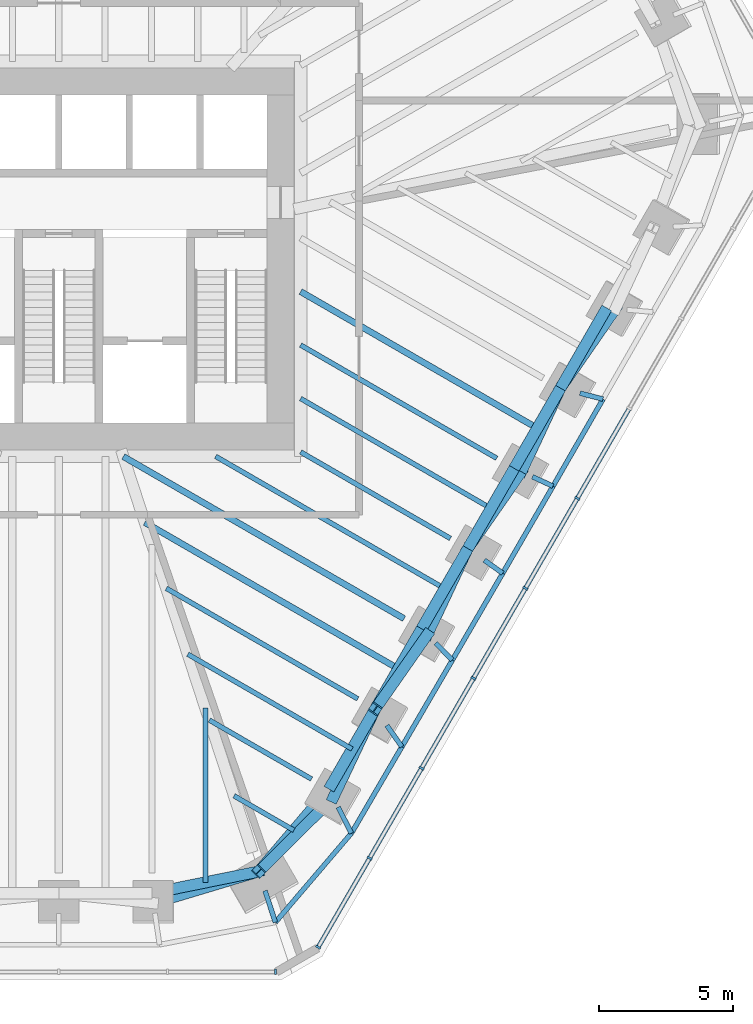
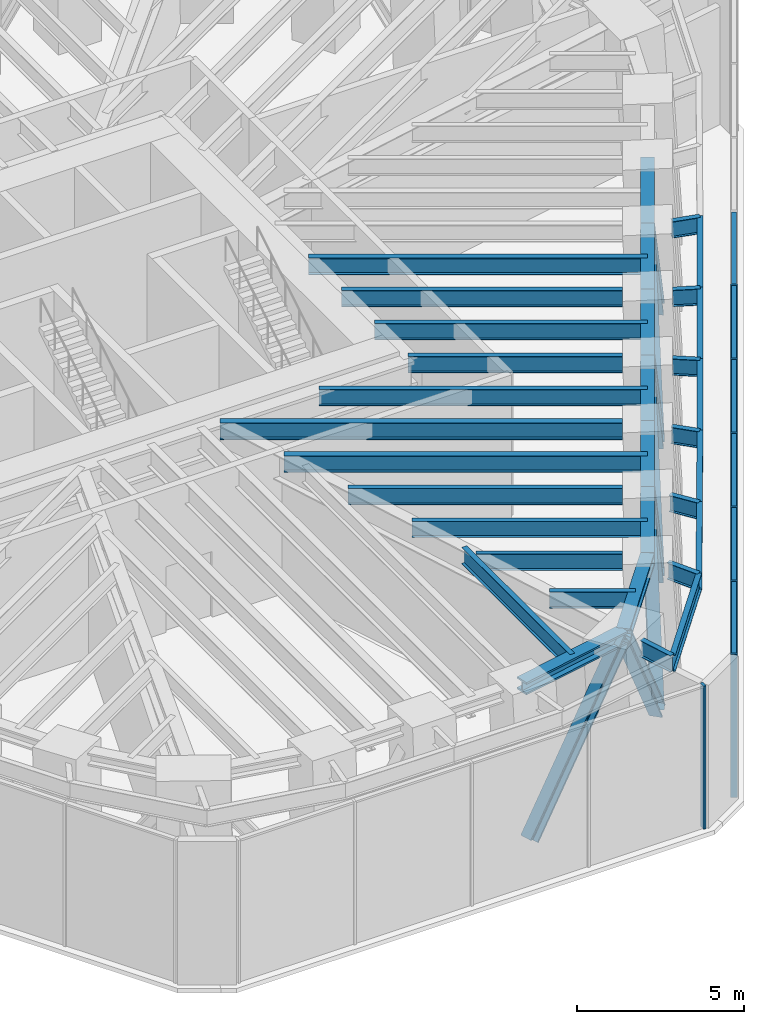
# One storey, part 5 of 13: 33 beams, 21 members, 2 elements without a shape of their own.
"""IFC4 building model written with IfcOpenShell, lengths in metres."""

from ifc_helpers import new_model, si_unit, direction, frame, origin, origin_2d, place, context, subcontext, project, spatial, rectangle, i_section, extrude, material, material_profile, profile_set, type_object, element, aggregate, save


model = new_model("IFC4")

# Units and contexts
model_context = context("Model", 3, precision=1e-05, world=origin(), true_north=direction((0.0, 1.0)))
body_context = subcontext(model_context, "Body", "Model", "MODEL_VIEW")
ifc_project = project(units=[si_unit("LENGTHUNIT", "METRE"), si_unit("AREAUNIT", "SQUARE_METRE"), si_unit("VOLUMEUNIT", "CUBIC_METRE"), si_unit("PLANEANGLEUNIT", "RADIAN"), si_unit("MASSUNIT", "GRAM", prefix="KILO")], contexts=[model_context])

# Site, building, storey
site_placement = place(None, origin())
site = spatial("IfcSite", under=ifc_project, at=site_placement, CompositionType="ELEMENT")
building_placement = place(site_placement, origin())
building = spatial("IfcBuilding", under=site, at=building_placement, Name="Sandreach Pilgrim Tower", CompositionType="ELEMENT")
storey_placement = place(building_placement, frame((0.0, 0.0, 251.60009765625)))
storey = spatial("IfcBuildingStorey", under=building, at=storey_placement, Name="L63", CompositionType="ELEMENT", Elevation=251.60009765625)

# Beams
ifc_material_1 = material(Name="Steel ASTM A913 Grade 65", Category="steel")
ifc_material_profile_1 = material_profile(ifc_material_1, i_section(OverallWidth=0.419189453125, OverallDepth=0.45458984375, WebThickness=0.042236328125, FlangeThickness=0.067626953125, at=origin_2d()), Name="W14X370")
ifc_profile_set_1 = profile_set([ifc_material_profile_1], Name="Steel ASTM A913 Grade 65")
beam_type_1 = type_object("IfcBeamType", Name="Belt truss chord W14X370", PredefinedType="BEAM", material=ifc_profile_set_1)
for number, where, z_axis, x_axis, name in (
    (1, (20.38525390625, -1.824462890625, 5.012451171875), (-0.499957605418, -0.866049878924, 0.0), (0.866049878924, -0.499957605418, 0.0), "BM L63 BTT15"),
    (2, (18.662841796875, -4.80810546875, 5.012451171875), (-0.500041441558, -0.866001476168, 0.0), (0.866001476168, -0.500041441558, 0.0), "BM L63 BTT16"),
):
    element("IfcBeam", number, at=place(storey_placement, frame(where, z_axis=z_axis, x_axis=x_axis)), inside=storey, type_object=beam_type_1, Name=name, PredefinedType="BEAM", context=body_context, shape_type="SweptSolid", body=[
        extrude(i_section(OverallWidth=0.419189453125, OverallDepth=0.45458984375, WebThickness=0.042236328125, FlangeThickness=0.067626953125, at=origin_2d()), origin(), (0.0, 0.0, 1.0), 3.445068359375),
    ])
beam_1_placement = place(storey_placement, frame((16.940185546875, -7.79150390625, 5.012451171875), z_axis=(-0.499988291006, -0.866032163869, 0.0), x_axis=(0.866032163869, -0.499988291006, 0.0)))
element("IfcBeam", 3, at=beam_1_placement, inside=storey, type_object=beam_type_1, Name="BM L63 BTT17", PredefinedType="BEAM", context=body_context, shape_type="SweptSolid", body=[
    extrude(i_section(OverallWidth=0.419189453125, OverallDepth=0.45458984375, WebThickness=0.042236328125, FlangeThickness=0.067626953125, at=origin_2d()), origin(), (0.0, 0.0, 1.0), 3.44482421875),
])
beam_2_placement = place(storey_placement, frame((15.2177734375, -10.77490234375, 5.012451171875), z_axis=(-0.500010754882, -0.866019194361, 0.0), x_axis=(0.866019194361, -0.500010754882, 0.0)))
element("IfcBeam", 4, at=beam_2_placement, inside=storey, type_object=beam_type_1, Name="BM L63 BTT18", PredefinedType="BEAM", context=body_context, shape_type="SweptSolid", body=[
    extrude(i_section(OverallWidth=0.419189453125, OverallDepth=0.45458984375, WebThickness=0.042236328125, FlangeThickness=0.067626953125, at=origin_2d()), origin(), (0.0, 0.0, 1.0), 3.4453125),
])
for number, where, z_axis, x_axis, name in (
    (5, (13.4951171875, -13.758544921875, 5.012451171875), (-0.499988291006, -0.866032163869, 0.0), (0.866032163869, -0.499988291006, 0.0), "BM L63 BTT19"),
    (6, (11.772705078125, -16.741943359375, 5.012451171875), (-0.499988291006, -0.866032163869, 0.0), (0.866032163869, -0.499988291006, 0.0), "BM L63 BTT20"),
):
    element("IfcBeam", number, at=place(storey_placement, frame(where, z_axis=z_axis, x_axis=x_axis)), inside=storey, type_object=beam_type_1, Name=name, PredefinedType="BEAM", context=body_context, shape_type="SweptSolid", body=[
        extrude(i_section(OverallWidth=0.419189453125, OverallDepth=0.45458984375, WebThickness=0.042236328125, FlangeThickness=0.067626953125, at=origin_2d()), origin(), (0.0, 0.0, 1.0), 3.44482421875),
    ])
beam_3_placement = place(storey_placement, frame((10.05029296875, -19.725341796875, 5.012451171875), z_axis=(-0.648586192707, -0.761141215958, 0.0), x_axis=(0.761141215958, -0.648586192707, 0.0)))
element("IfcBeam", 7, at=beam_3_placement, inside=storey, type_object=beam_type_1, Name="BM L63 BTT21", PredefinedType="BEAM", context=body_context, shape_type="SweptSolid", body=[
    extrude(i_section(OverallWidth=0.419189453125, OverallDepth=0.45458984375, WebThickness=0.042236328125, FlangeThickness=0.067626953125, at=origin_2d()), origin(), (0.0, 0.0, 1.0), 4.02587890625),
])
beam_4_placement = place(storey_placement, frame((7.439208984375, -22.78955078125, 5.012451171875), z_axis=(-0.979917524616, -0.199403222016, 0.0), x_axis=(0.199403222016, -0.979917524616, 0.0)))
element("IfcBeam", 8, at=beam_4_placement, inside=storey, type_object=beam_type_1, Name="BM L63 BTT22", PredefinedType="BEAM", context=body_context, shape_type="SweptSolid", body=[
    extrude(i_section(OverallWidth=0.419189453125, OverallDepth=0.45458984375, WebThickness=0.042236328125, FlangeThickness=0.067626953125, at=origin_2d()), origin(), (0.0, 0.0, 1.0), 4.05517578125),
])

# Members
ifc_material_2 = material(Name="Steel ASTM A913 Grade 65", Category="steel")
ifc_material_profile_2 = material_profile(ifc_material_2, i_section(OverallWidth=0.411376953125, OverallDepth=0.434326171875, WebThickness=0.035888671875, FlangeThickness=0.057373046875, at=origin_2d()), Name="W14X311")
ifc_profile_set_2 = profile_set([ifc_material_profile_2], Name="Steel ASTM A913 Grade 65")
member_type_1 = type_object("IfcMemberType", Name="Belt truss diagonal W14X311", PredefinedType="BRACE", material=ifc_profile_set_2)
member_1_placement = place(storey_placement, frame((20.70947265625, -1.853515625, -0.387451171875), z_axis=(-0.315511993919, -0.455484450723, 0.832457864905), x_axis=(0.822042997454, -0.569425421224, 0.0)))
element("IfcMember", 9, at=member_1_placement, inside=storey, type_object=member_type_1, Name="Belt truss diagonal L63 bay 15", PredefinedType="BRACE", context=body_context, shape_type="SweptSolid", body=[
    extrude(i_section(OverallWidth=0.411376953125, OverallDepth=0.434326171875, WebThickness=0.035888671875, FlangeThickness=0.057373046875, at=origin_2d()), origin(), (0.0, 0.0, 1.0), 6.48681640625),
])
member_2_placement = place(storey_placement, frame((18.662841796875, -4.80810546875, 5.012451171875), z_axis=(-0.227183846521, -0.485699448123, -0.844087404226), x_axis=(0.905808221504, -0.423687934518, 0.0)))
element("IfcMember", 10, at=member_2_placement, inside=storey, type_object=member_type_1, Name="Belt truss diagonal L63 bay 16", PredefinedType="BRACE", context=body_context, shape_type="SweptSolid", body=[
    extrude(i_section(OverallWidth=0.411376953125, OverallDepth=0.434326171875, WebThickness=0.035888671875, FlangeThickness=0.057373046875, at=origin_2d()), origin(), (0.0, 0.0, 1.0), 6.397216796875),
])
member_3_placement = place(storey_placement, frame((17.20947265625, -7.915283203125, -0.387451171875), z_axis=(-0.309907246084, -0.444955083769, 0.840221680423), x_axis=(0.820582360432, -0.571528293042, 0.0)))
element("IfcMember", 11, at=member_3_placement, inside=storey, type_object=member_type_1, Name="Belt truss diagonal L63 bay 17", PredefinedType="BRACE", context=body_context, shape_type="SweptSolid", body=[
    extrude(i_section(OverallWidth=0.411376953125, OverallDepth=0.434326171875, WebThickness=0.035888671875, FlangeThickness=0.057373046875, at=origin_2d()), origin(), (0.0, 0.0, 1.0), 6.4267578125),
])
member_4_placement = place(storey_placement, frame((15.2177734375, -10.77490234375, 5.012451171875), z_axis=(-0.233570328749, -0.495954092906, -0.836345884941), x_axis=(0.904692042966, -0.426066083364, 0.0)))
element("IfcMember", 12, at=member_4_placement, inside=storey, type_object=member_type_1, Name="Belt truss diagonal L63 bay 18", PredefinedType="BRACE", context=body_context, shape_type="SweptSolid", body=[
    extrude(i_section(OverallWidth=0.411376953125, OverallDepth=0.434326171875, WebThickness=0.035888671875, FlangeThickness=0.057373046875, at=origin_2d()), origin(), (0.0, 0.0, 1.0), 6.45654296875),
])
member_5_placement = place(storey_placement, frame((13.709716796875, -13.97705078125, -0.387451171875), z_axis=(-0.30416334983, -0.434163087575, 0.847931052626), x_axis=(0.81901102032, -0.573777786774, 0.0)))
element("IfcMember", 13, at=member_5_placement, inside=storey, type_object=member_type_1, Name="Belt truss diagonal L63 bay 19", PredefinedType="BRACE", context=body_context, shape_type="SweptSolid", body=[
    extrude(i_section(OverallWidth=0.411376953125, OverallDepth=0.434326171875, WebThickness=0.035888671875, FlangeThickness=0.057373046875, at=origin_2d()), origin(), (0.0, 0.0, 1.0), 6.368408203125),
])
member_6_placement = place(storey_placement, frame((11.772705078125, -16.741943359375, 5.012451171875), z_axis=(-0.239792703869, -0.505921022614, -0.828579132038), x_axis=(0.903636992743, -0.428299177382, 0.0)))
element("IfcMember", 14, at=member_6_placement, inside=storey, type_object=member_type_1, Name="Belt truss diagonal L63 bay 20", PredefinedType="BRACE", context=body_context, shape_type="SweptSolid", body=[
    extrude(i_section(OverallWidth=0.411376953125, OverallDepth=0.434326171875, WebThickness=0.035888671875, FlangeThickness=0.057373046875, at=origin_2d()), origin(), (0.0, 0.0, 1.0), 6.51708984375),
])
member_7_placement = place(storey_placement, frame((10.2099609375, -20.0390625, -0.387451171875), z_axis=(-0.415815148003, -0.412774117315, 0.81037972011), x_axis=(0.704506862274, -0.709697175568, 0.0)))
element("IfcMember", 15, at=member_7_placement, inside=storey, type_object=member_type_1, Name="Belt truss diagonal L63 bay 21", PredefinedType="BRACE", context=body_context, shape_type="SweptSolid", body=[
    extrude(i_section(OverallWidth=0.411376953125, OverallDepth=0.434326171875, WebThickness=0.035888671875, FlangeThickness=0.057373046875, at=origin_2d()), origin(), (0.0, 0.0, 1.0), 6.663330078125),
])
member_8_placement = place(storey_placement, frame((7.439208984375, -22.78955078125, 5.012451171875), z_axis=(-0.578471567436, -0.173786493693, -0.796974842939), x_axis=(0.287720028636, -0.957714563491, 0.0)))
element("IfcMember", 16, at=member_8_placement, inside=storey, type_object=member_type_1, Name="Belt truss diagonal L63 bay 22", PredefinedType="BRACE", context=body_context, shape_type="SweptSolid", body=[
    extrude(i_section(OverallWidth=0.411376953125, OverallDepth=0.434326171875, WebThickness=0.035888671875, FlangeThickness=0.057373046875, at=origin_2d()), origin(), (0.0, 0.0, 1.0), 6.775390625),
])

# Curtain wall, members
ifc_material_3 = material(Name="Aluminium framed curtain wall", Category="aluminium")
curtain_wall_type = type_object("IfcCurtainWallType", Name="Plant storey louvred curtain wall", PredefinedType="NOTDEFINED", material=ifc_material_3)
curtain_wall_1_placement = place(storey_placement, origin())
curtain_wall_1 = element("IfcCurtainWall", 17, at=curtain_wall_1_placement, inside=storey, type_object=curtain_wall_type, Name="CW-L L63 SE", PredefinedType="NOTDEFINED")
ifc_material_4 = material(Name="Aluminium extrusion", Category="aluminium")
ifc_material_profile_3 = material_profile(ifc_material_4, rectangle(XDim=0.080078125, YDim=0.199951171875, at=origin_2d()), Name="CW-LM 80X200")
ifc_profile_set_3 = profile_set([ifc_material_profile_3], Name="Aluminium extrusion")
member_type_2 = type_object("IfcMemberType", Name="CW-L mullion", PredefinedType="MULLION", material=ifc_profile_set_3)
member_9_placement = place(storey_placement, frame((19.291259765625, -8.90673828125, 0.0), z_axis=(0.0, 0.0, 1.0), x_axis=(-0.5, -0.866025403784, 0.0)))
member_9 = element("IfcMember", 18, at=member_9_placement, type_object=member_type_2, Name="CW-L mullion 5", PredefinedType="MULLION", context=body_context, shape_type="SweptSolid", body=[
    extrude(rectangle(XDim=0.080078125, YDim=0.199951171875, at=origin_2d()), origin(), (0.0, 0.0, 1.0), 5.239990234375),
])
member_10_placement = place(storey_placement, frame((17.359130859375, -12.25341796875, 0.0), z_axis=(0.0, 0.0, 1.0), x_axis=(-0.5, -0.866025403784, 0.0)))
member_10 = element("IfcMember", 19, at=member_10_placement, type_object=member_type_2, Name="CW-L mullion 6", PredefinedType="MULLION", context=body_context, shape_type="SweptSolid", body=[
    extrude(rectangle(XDim=0.080078125, YDim=0.199951171875, at=origin_2d()), origin(), (0.0, 0.0, 1.0), 5.239990234375),
])
member_11_placement = place(storey_placement, frame((15.4267578125, -15.60009765625, 0.0), z_axis=(0.0, 0.0, 1.0), x_axis=(-0.5, -0.866025403784, 0.0)))
member_11 = element("IfcMember", 20, at=member_11_placement, type_object=member_type_2, Name="CW-L mullion 7", PredefinedType="MULLION", context=body_context, shape_type="SweptSolid", body=[
    extrude(rectangle(XDim=0.080078125, YDim=0.199951171875, at=origin_2d()), origin(), (0.0, 0.0, 1.0), 5.239990234375),
])
member_12_placement = place(storey_placement, frame((13.49462890625, -18.94677734375, 0.0), z_axis=(0.0, 0.0, 1.0), x_axis=(-0.5, -0.866025403784, 0.0)))
member_12 = element("IfcMember", 21, at=member_12_placement, type_object=member_type_2, Name="CW-L mullion 8", PredefinedType="MULLION", context=body_context, shape_type="SweptSolid", body=[
    extrude(rectangle(XDim=0.080078125, YDim=0.199951171875, at=origin_2d()), origin(), (0.0, 0.0, 1.0), 5.239990234375),
])
member_13_placement = place(storey_placement, frame((11.5625, -22.29345703125, 0.0), z_axis=(0.0, 0.0, 1.0), x_axis=(-0.5, -0.866025403784, 0.0)))
member_13 = element("IfcMember", 22, at=member_13_placement, type_object=member_type_2, Name="CW-L mullion 9", PredefinedType="MULLION", context=body_context, shape_type="SweptSolid", body=[
    extrude(rectangle(XDim=0.080078125, YDim=0.199951171875, at=origin_2d()), origin(), (0.0, 0.0, 1.0), 5.239990234375),
])
member_14_placement = place(storey_placement, frame((9.650146484375, -25.60546875, 0.0), z_axis=(0.0, 0.0, 1.0), x_axis=(-0.5, -0.866025403784, 0.0)))
member_14 = element("IfcMember", 23, at=member_14_placement, type_object=member_type_2, Name="CW-L mullion 10", PredefinedType="MULLION", context=body_context, shape_type="SweptSolid", body=[
    extrude(rectangle(XDim=0.080078125, YDim=0.199951171875, at=origin_2d()), origin(), (0.0, 0.0, 1.0), 5.239990234375),
])

# Curtain wall, member
curtain_wall_2_placement = place(storey_placement, origin())
curtain_wall_2 = element("IfcCurtainWall", 24, at=curtain_wall_2_placement, inside=storey, type_object=curtain_wall_type, Name="CW-L L63 S", PredefinedType="NOTDEFINED")
member_15_placement = place(storey_placement, frame((8.057373046875, -26.525146484375, 0.0), z_axis=(0.0, 0.0, 1.0), x_axis=(-1.0, 0.0, 0.0)))
member_15 = element("IfcMember", 25, at=member_15_placement, type_object=member_type_2, Name="CW-L mullion 1", PredefinedType="MULLION", context=body_context, shape_type="SweptSolid", body=[
    extrude(rectangle(XDim=0.080078125, YDim=0.199951171875, at=origin_2d()), origin(), (0.0, 0.0, 1.0), 5.239990234375),
])
aggregate(curtain_wall_2, [member_15])

# Member
ifc_material_5 = material(Name="Aluminium extrusion", Category="aluminium")
ifc_material_profile_4 = material_profile(ifc_material_5, rectangle(XDim=0.159912109375, YDim=0.070068359375, at=origin_2d()), Name="CW-LT 160X70")
ifc_profile_set_4 = profile_set([ifc_material_profile_4], Name="Aluminium extrusion")
member_type_3 = type_object("IfcMemberType", Name="CW-L transom", PredefinedType="USERDEFINED", material=ifc_profile_set_4)
member_16_placement = place(storey_placement, frame((21.20361328125, -5.5947265625, 5.204833984375), z_axis=(-0.500031448545, -0.866007246197, 0.0), x_axis=(0.866007246197, -0.500031448545, 0.0)))
member_16 = element("IfcMember", 26, at=member_16_placement, type_object=member_type_3, Name="CW-L head transom 4", ObjectType="TRANSOM", PredefinedType="USERDEFINED", context=body_context, shape_type="SweptSolid", body=[
    extrude(rectangle(XDim=0.159912109375, YDim=0.070068359375, at=origin_2d()), origin(), (0.0, 0.0, 1.0), 3.784423828125),
])

member_17_placement = place(storey_placement, frame((19.271240234375, -8.94140625, 5.204833984375), z_axis=(-0.499983064336, -0.866035181374, 0.0), x_axis=(0.866035181374, -0.499983064336, 0.0)))
member_17 = element("IfcMember", 27, at=member_17_placement, type_object=member_type_3, Name="CW-L head transom 5", ObjectType="TRANSOM", PredefinedType="USERDEFINED", context=body_context, shape_type="SweptSolid", body=[
    extrude(rectangle(XDim=0.159912109375, YDim=0.070068359375, at=origin_2d()), origin(), (0.0, 0.0, 1.0), 3.784423828125),
])

member_18_placement = place(storey_placement, frame((17.339111328125, -12.2880859375, 5.204833984375), z_axis=(-0.500031448545, -0.866007246197, 0.0), x_axis=(0.866007246197, -0.500031448545, 0.0)))
member_18 = element("IfcMember", 28, at=member_18_placement, type_object=member_type_3, Name="CW-L head transom 6", ObjectType="TRANSOM", PredefinedType="USERDEFINED", context=body_context, shape_type="SweptSolid", body=[
    extrude(rectangle(XDim=0.159912109375, YDim=0.070068359375, at=origin_2d()), origin(), (0.0, 0.0, 1.0), 3.784423828125),
])

member_19_placement = place(storey_placement, frame((15.406982421875, -15.634765625, 5.204833984375), z_axis=(-0.500031448545, -0.866007246197, 0.0), x_axis=(0.866007246197, -0.500031448545, 0.0)))
member_19 = element("IfcMember", 29, at=member_19_placement, type_object=member_type_3, Name="CW-L head transom 7", ObjectType="TRANSOM", PredefinedType="USERDEFINED", context=body_context, shape_type="SweptSolid", body=[
    extrude(rectangle(XDim=0.159912109375, YDim=0.070068359375, at=origin_2d()), origin(), (0.0, 0.0, 1.0), 3.784423828125),
])

member_20_placement = place(storey_placement, frame((13.474609375, -18.9814453125, 5.204833984375), z_axis=(-0.499983064336, -0.866035181374, 0.0), x_axis=(0.866035181374, -0.499983064336, 0.0)))
member_20 = element("IfcMember", 30, at=member_20_placement, type_object=member_type_3, Name="CW-L head transom 8", ObjectType="TRANSOM", PredefinedType="USERDEFINED", context=body_context, shape_type="SweptSolid", body=[
    extrude(rectangle(XDim=0.159912109375, YDim=0.070068359375, at=origin_2d()), origin(), (0.0, 0.0, 1.0), 3.784423828125),
])

member_21_placement = place(storey_placement, frame((11.54248046875, -22.328125, 5.204833984375), z_axis=(-0.500030989569, -0.866007511209, 0.0), x_axis=(0.866007511209, -0.500030989569, 0.0)))
member_21 = element("IfcMember", 31, at=member_21_placement, type_object=member_type_3, Name="CW-L head transom 9", ObjectType="TRANSOM", PredefinedType="USERDEFINED", context=body_context, shape_type="SweptSolid", body=[
    extrude(rectangle(XDim=0.159912109375, YDim=0.070068359375, at=origin_2d()), origin(), (0.0, 0.0, 1.0), 3.744384765625),
])

aggregate(curtain_wall_1, [member_9, member_10, member_11, member_12, member_13, member_14, member_16, member_17, member_18, member_19, member_20, member_21])

# Beams
ifc_material_6 = material(Name="Steel ASTM A992 Grade 50", Category="steel")
ifc_material_profile_5 = material_profile(ifc_material_6, i_section(OverallWidth=0.1787109375, OverallDepth=0.60205078125, WebThickness=0.010986328125, FlangeThickness=0.014892578125, at=origin_2d()), Name="W24X62")
ifc_profile_set_5 = profile_set([ifc_material_profile_5], Name="Steel ASTM A992 Grade 50")
beam_type_2 = type_object("IfcBeamType", Name="Floor beam W24X62", PredefinedType="BEAM", material=ifc_profile_set_5)
beam_5_placement = place(storey_placement, frame((16.290771484375, -7.41650390625, 4.93896484375), z_axis=(-0.866026299211, 0.499998449073, 0.0), x_axis=(-0.499998449073, -0.866026299211, 0.0)))
element("IfcBeam", 32, at=beam_5_placement, inside=storey, type_object=beam_type_2, Name="BM L63 F17", PredefinedType="BEAM", context=body_context, shape_type="SweptSolid", body=[
    extrude(i_section(OverallWidth=0.1787109375, OverallDepth=0.60205078125, WebThickness=0.010986328125, FlangeThickness=0.014892578125, at=origin_2d()), origin(), (0.0, 0.0, 1.0), 8.4228515625),
])
beam_6_placement = place(storey_placement, frame((14.568115234375, -10.39990234375, 4.93896484375), z_axis=(-0.866013701895, 0.500020267719, 0.0), x_axis=(-0.500020267719, -0.866013701895, 0.0)))
element("IfcBeam", 33, at=beam_6_placement, inside=storey, type_object=beam_type_2, Name="BM L63 F18", PredefinedType="BEAM", context=body_context, shape_type="SweptSolid", body=[
    extrude(i_section(OverallWidth=0.1787109375, OverallDepth=0.60205078125, WebThickness=0.010986328125, FlangeThickness=0.014892578125, at=origin_2d()), origin(), (0.0, 0.0, 1.0), 6.433837890625),
])
beam_7_placement = place(storey_placement, frame((11.123291015625, -16.366943359375, 4.93896484375), z_axis=(-0.866022466269, 0.500005087891, 0.0), x_axis=(-0.500005087891, -0.866022466269, 0.0)))
element("IfcBeam", 34, at=beam_7_placement, inside=storey, type_object=beam_type_2, Name="BM L63 F20", PredefinedType="BEAM", context=body_context, shape_type="SweptSolid", body=[
    extrude(i_section(OverallWidth=0.1787109375, OverallDepth=0.60205078125, WebThickness=0.010986328125, FlangeThickness=0.014892578125, at=origin_2d()), origin(), (0.0, 0.0, 1.0), 8.22509765625),
])
beam_8_placement = place(storey_placement, frame((9.400634765625, -19.350341796875, 4.93896484375), z_axis=(-0.866026229868, 0.499998569178, 0.0), x_axis=(-0.499998569178, -0.866026229868, 0.0)))
element("IfcBeam", 35, at=beam_8_placement, inside=storey, type_object=beam_type_2, Name="BM L63 F21", PredefinedType="BEAM", context=body_context, shape_type="SweptSolid", body=[
    extrude(i_section(OverallWidth=0.1787109375, OverallDepth=0.60205078125, WebThickness=0.010986328125, FlangeThickness=0.014892578125, at=origin_2d()), origin(), (0.0, 0.0, 1.0), 4.38818359375),
])
beam_9_placement = place(storey_placement, frame((16.0791015625, -9.283203125, 4.93896484375), z_axis=(-0.866031978759, 0.499988611638, 0.0), x_axis=(-0.499988611638, -0.866031978759, 0.0)))
element("IfcBeam", 36, at=beam_9_placement, inside=storey, type_object=beam_type_2, Name="BM L63 FM17", PredefinedType="BEAM", context=body_context, shape_type="SweptSolid", body=[
    extrude(i_section(OverallWidth=0.1787109375, OverallDepth=0.60205078125, WebThickness=0.010986328125, FlangeThickness=0.014892578125, at=origin_2d()), origin(), (0.0, 0.0, 1.0), 8.178466796875),
])
beam_10_placement = place(storey_placement, frame((14.3564453125, -12.2666015625, 4.93896484375), z_axis=(-0.866026942079, 0.499997335587, 0.0), x_axis=(-0.499997335587, -0.866026942079, 0.0)))
element("IfcBeam", 37, at=beam_10_placement, inside=storey, type_object=beam_type_2, Name="BM L63 FM18", PredefinedType="BEAM", context=body_context, shape_type="SweptSolid", body=[
    extrude(i_section(OverallWidth=0.1787109375, OverallDepth=0.60205078125, WebThickness=0.010986328125, FlangeThickness=0.014892578125, at=origin_2d()), origin(), (0.0, 0.0, 1.0), 9.8408203125),
])
beam_11_placement = place(storey_placement, frame((10.911376953125, -18.233642578125, 4.93896484375), z_axis=(-0.866020229007, 0.50000896287, 0.0), x_axis=(-0.50000896287, -0.866020229007, 0.0)))
element("IfcBeam", 38, at=beam_11_placement, inside=storey, type_object=beam_type_2, Name="BM L63 FM20", PredefinedType="BEAM", context=body_context, shape_type="SweptSolid", body=[
    extrude(i_section(OverallWidth=0.1787109375, OverallDepth=0.60205078125, WebThickness=0.010986328125, FlangeThickness=0.014892578125, at=origin_2d()), origin(), (0.0, 0.0, 1.0), 7.056396484375),
])
beam_12_placement = place(storey_placement, frame((8.74462890625, -21.25732421875, 4.93896484375), z_axis=(-0.866041575714, 0.49997198835, 0.0), x_axis=(-0.49997198835, -0.866041575714, 0.0)))
element("IfcBeam", 39, at=beam_12_placement, inside=storey, type_object=beam_type_2, Name="BM L63 FM21", PredefinedType="BEAM", context=body_context, shape_type="SweptSolid", body=[
    extrude(i_section(OverallWidth=0.1787109375, OverallDepth=0.60205078125, WebThickness=0.010986328125, FlangeThickness=0.014892578125, at=origin_2d()), origin(), (0.0, 0.0, 1.0), 2.569091796875),
])
beam_13_placement = place(storey_placement, frame((5.452392578125, -23.19384765625, 4.93896484375), z_axis=(0.0, 1.0, 0.0), x_axis=(-1.0, 0.0, 0.0)))
element("IfcBeam", 40, at=beam_13_placement, inside=storey, type_object=beam_type_2, Name="BM L63 FM22", PredefinedType="BEAM", context=body_context, shape_type="SweptSolid", body=[
    extrude(i_section(OverallWidth=0.1787109375, OverallDepth=0.60205078125, WebThickness=0.010986328125, FlangeThickness=0.014892578125, at=origin_2d()), origin(), (0.0, 0.0, 1.0), 6.49072265625),
])
ifc_material_7 = material(Name="Steel ASTM A992 Grade 50", Category="steel")
ifc_material_profile_6 = material_profile(ifc_material_7, i_section(OverallWidth=0.23046875, OverallDepth=0.6171875, WebThickness=0.01318359375, FlangeThickness=0.022216796875, at=origin_2d()), Name="W24X94")
ifc_profile_set_6 = profile_set([ifc_material_profile_6], Name="Steel ASTM A992 Grade 50")
beam_type_3 = type_object("IfcBeamType", Name="Floor beam W24X94", PredefinedType="BEAM", material=ifc_profile_set_6)
beam_14_placement = place(storey_placement, frame((12.845703125, -13.383544921875, 4.931396484375), z_axis=(-0.866016036554, 0.500016224167, 0.0), x_axis=(-0.500016224167, -0.866016036554, 0.0)))
element("IfcBeam", 41, at=beam_14_placement, inside=storey, type_object=beam_type_3, Name="BM L63 F19", PredefinedType="BEAM", context=body_context, shape_type="SweptSolid", body=[
    extrude(i_section(OverallWidth=0.23046875, OverallDepth=0.6171875, WebThickness=0.01318359375, FlangeThickness=0.022216796875, at=origin_2d()), origin(), (0.0, 0.0, 1.0), 12.0615234375),
])
beam_15_placement = place(storey_placement, frame((17.801513671875, -6.2998046875, 4.931396484375), z_axis=(-0.866022438472, 0.500005136037, 0.0), x_axis=(-0.500005136037, -0.866022438472, 0.0)))
element("IfcBeam", 42, at=beam_15_placement, inside=storey, type_object=beam_type_3, Name="BM L63 FM16", PredefinedType="BEAM", context=body_context, shape_type="SweptSolid", body=[
    extrude(i_section(OverallWidth=0.23046875, OverallDepth=0.6171875, WebThickness=0.01318359375, FlangeThickness=0.022216796875, at=origin_2d()), origin(), (0.0, 0.0, 1.0), 10.16748046875),
])
beam_16_placement = place(storey_placement, frame((12.634033203125, -15.250244140625, 4.931396484375), z_axis=(-0.866019500887, 0.500010223979, 0.0), x_axis=(-0.500010223979, -0.866019500887, 0.0)))
element("IfcBeam", 43, at=beam_16_placement, inside=storey, type_object=beam_type_3, Name="BM L63 FM19", PredefinedType="BEAM", context=body_context, shape_type="SweptSolid", body=[
    extrude(i_section(OverallWidth=0.23046875, OverallDepth=0.6171875, WebThickness=0.01318359375, FlangeThickness=0.022216796875, at=origin_2d()), origin(), (0.0, 0.0, 1.0), 10.893310546875),
])
ifc_material_8 = material(Name="Steel ASTM A992 Grade 50", Category="steel")
ifc_material_profile_7 = material_profile(ifc_material_8, i_section(OverallWidth=0.1787109375, OverallDepth=0.60205078125, WebThickness=0.010986328125, FlangeThickness=0.014892578125, at=origin_2d()), Name="W24X62")
ifc_profile_set_7 = profile_set([ifc_material_profile_7], Name="Steel ASTM A992 Grade 50")
beam_type_4 = type_object("IfcBeamType", Name="Setback roof edge beam W24X62", PredefinedType="BEAM", material=ifc_profile_set_7)
beam_17_placement = place(storey_placement, frame((20.245361328125, -5.2158203125, 4.89892578125), z_axis=(-0.498115052647, -0.867110946953, 0.0), x_axis=(0.867110946953, -0.498115052647, 0.0)))
element("IfcBeam", 44, at=beam_17_placement, inside=storey, type_object=beam_type_4, Name="BM L63 RE16", PredefinedType="BEAM", context=body_context, shape_type="SweptSolid", body=[
    extrude(i_section(OverallWidth=0.1787109375, OverallDepth=0.60205078125, WebThickness=0.010986328125, FlangeThickness=0.014892578125, at=origin_2d()), origin(), (0.0, 0.0, 1.0), 3.736328125),
])
beam_18_placement = place(storey_placement, frame((18.38427734375, -8.45556640625, 4.89892578125), z_axis=(-0.500008851346, -0.866020293397, 0.0), x_axis=(0.866020293397, -0.500008851346, 0.0)))
element("IfcBeam", 45, at=beam_18_placement, inside=storey, type_object=beam_type_4, Name="BM L63 RE17", PredefinedType="BEAM", context=body_context, shape_type="SweptSolid", body=[
    extrude(i_section(OverallWidth=0.1787109375, OverallDepth=0.60205078125, WebThickness=0.010986328125, FlangeThickness=0.014892578125, at=origin_2d()), origin(), (0.0, 0.0, 1.0), 3.73876953125),
])
beam_19_placement = place(storey_placement, frame((16.514892578125, -11.693359375, 4.89892578125), z_axis=(-0.501862800728, -0.864947240729, 0.0), x_axis=(0.864947240729, -0.501862800728, 0.0)))
element("IfcBeam", 46, at=beam_19_placement, inside=storey, type_object=beam_type_4, Name="BM L63 RE18", PredefinedType="BEAM", context=body_context, shape_type="SweptSolid", body=[
    extrude(i_section(OverallWidth=0.1787109375, OverallDepth=0.60205078125, WebThickness=0.010986328125, FlangeThickness=0.014892578125, at=origin_2d()), origin(), (0.0, 0.0, 1.0), 3.736572265625),
])
beam_20_placement = place(storey_placement, frame((14.6396484375, -14.92529296875, 4.89892578125), z_axis=(-0.50326867746, -0.864129989231, 0.0), x_axis=(0.864129989231, -0.50326867746, 0.0)))
element("IfcBeam", 47, at=beam_20_placement, inside=storey, type_object=beam_type_4, Name="BM L63 RE19", PredefinedType="BEAM", context=body_context, shape_type="SweptSolid", body=[
    extrude(i_section(OverallWidth=0.1787109375, OverallDepth=0.60205078125, WebThickness=0.010986328125, FlangeThickness=0.014892578125, at=origin_2d()), origin(), (0.0, 0.0, 1.0), 3.73046875),
])
beam_21_placement = place(storey_placement, frame((12.76220703125, -18.14892578125, 4.89892578125), z_axis=(-0.503956635321, -0.863728956164, 0.0), x_axis=(0.863728956164, -0.503956635321, 0.0)))
element("IfcBeam", 48, at=beam_21_placement, inside=storey, type_object=beam_type_4, Name="BM L63 RE20", PredefinedType="BEAM", context=body_context, shape_type="SweptSolid", body=[
    extrude(i_section(OverallWidth=0.1787109375, OverallDepth=0.60205078125, WebThickness=0.010986328125, FlangeThickness=0.014892578125, at=origin_2d()), origin(), (0.0, 0.0, 1.0), 3.723388671875),
])
beam_22_placement = place(storey_placement, frame((10.8857421875, -21.364990234375, 4.89892578125), z_axis=(-0.649286091284, -0.760544260162, 0.0), x_axis=(0.760544260162, -0.649286091284, 0.0)))
element("IfcBeam", 49, at=beam_22_placement, inside=storey, type_object=beam_type_4, Name="BM L63 RE21", PredefinedType="BEAM", context=body_context, shape_type="SweptSolid", body=[
    extrude(i_section(OverallWidth=0.1787109375, OverallDepth=0.60205078125, WebThickness=0.010986328125, FlangeThickness=0.014892578125, at=origin_2d()), origin(), (0.0, 0.0, 1.0), 4.35791015625),
])
ifc_material_9 = material(Name="Steel ASTM A992 Grade 50", Category="steel")
ifc_material_profile_8 = material_profile(ifc_material_9, i_section(OverallWidth=0.1787109375, OverallDepth=0.60205078125, WebThickness=0.010986328125, FlangeThickness=0.014892578125, at=origin_2d()), Name="W24X62")
ifc_profile_set_8 = profile_set([ifc_material_profile_8], Name="Steel ASTM A992 Grade 50")
beam_type_5 = type_object("IfcBeamType", Name="Setback roof outlooker W24X62", PredefinedType="BEAM", material=ifc_profile_set_8)
beam_23_placement = place(storey_placement, frame((19.38916015625, -4.9951171875, 4.89892578125), z_axis=(0.968346249018, -0.249610781042, 0.0), x_axis=(0.249610781042, 0.968346249018, 0.0)))
element("IfcBeam", 50, at=beam_23_placement, inside=storey, type_object=beam_type_5, Name="BM L63 OL16", PredefinedType="BEAM", context=body_context, shape_type="SweptSolid", body=[
    extrude(i_section(OverallWidth=0.1787109375, OverallDepth=0.60205078125, WebThickness=0.010986328125, FlangeThickness=0.014892578125, at=origin_2d()), origin(), (0.0, 0.0, 1.0), 0.88427734375),
])
for number, where, z_axis, x_axis, name in (
    (51, (17.62158203125, -8.10498046875, 4.89892578125), (0.908605259154, -0.417655938587, 0.0), (0.417655938587, 0.908605259154, 0.0), "BM L63 OL17"),
    (52, (15.829833984375, -11.208251953125, 4.89892578125), (0.816104497041, -0.577904360521, 0.0), (0.577904360521, 0.816104497041, 0.0), "BM L63 OL18"),
):
    element("IfcBeam", number, at=place(storey_placement, frame(where, z_axis=z_axis, x_axis=x_axis)), inside=storey, type_object=beam_type_5, Name=name, PredefinedType="BEAM", context=body_context, shape_type="SweptSolid", body=[
        extrude(i_section(OverallWidth=0.1787109375, OverallDepth=0.60205078125, WebThickness=0.010986328125, FlangeThickness=0.014892578125, at=origin_2d()), origin(), (0.0, 0.0, 1.0), 0.83935546875),
    ])
beam_24_placement = place(storey_placement, frame((14.0205078125, -14.2939453125, 4.89892578125), z_axis=(0.70017077799, -0.713975406894, 0.0), x_axis=(0.713975406894, 0.70017077799, 0.0)))
element("IfcBeam", 53, at=beam_24_placement, inside=storey, type_object=beam_type_5, Name="BM L63 OL19", PredefinedType="BEAM", context=body_context, shape_type="SweptSolid", body=[
    extrude(i_section(OverallWidth=0.1787109375, OverallDepth=0.60205078125, WebThickness=0.010986328125, FlangeThickness=0.014892578125, at=origin_2d()), origin(), (0.0, 0.0, 1.0), 0.88427734375),
])
beam_25_placement = place(storey_placement, frame((12.2041015625, -17.35546875, 4.89892578125), z_axis=(0.575318839925, -0.817929234364, 0.0), x_axis=(0.817929234364, 0.575318839925, 0.0)))
element("IfcBeam", 54, at=beam_25_placement, inside=storey, type_object=beam_type_5, Name="BM L63 OL20", PredefinedType="BEAM", context=body_context, shape_type="SweptSolid", body=[
    extrude(i_section(OverallWidth=0.1787109375, OverallDepth=0.60205078125, WebThickness=0.010986328125, FlangeThickness=0.014892578125, at=origin_2d()), origin(), (0.0, 0.0, 1.0), 0.969970703125),
])
beam_26_placement = place(storey_placement, frame((10.390625, -20.3935546875, 4.89892578125), z_axis=(0.454096841041, -0.890952332595, 0.0), x_axis=(0.890952332595, 0.454096841041, 0.0)))
element("IfcBeam", 55, at=beam_26_placement, inside=storey, type_object=beam_type_5, Name="BM L63 OL21", PredefinedType="BEAM", context=body_context, shape_type="SweptSolid", body=[
    extrude(i_section(OverallWidth=0.1787109375, OverallDepth=0.60205078125, WebThickness=0.010986328125, FlangeThickness=0.014892578125, at=origin_2d()), origin(), (0.0, 0.0, 1.0), 1.09033203125),
])
beam_27_placement = place(storey_placement, frame((7.671875, -23.50244140625, 4.89892578125), z_axis=(0.310365417361, -0.950617329795, 0.0), x_axis=(0.950617329795, 0.310365417361, 0.0)))
element("IfcBeam", 56, at=beam_27_placement, inside=storey, type_object=beam_type_5, Name="BM L63 OL22", PredefinedType="BEAM", context=body_context, shape_type="SweptSolid", body=[
    extrude(i_section(OverallWidth=0.1787109375, OverallDepth=0.60205078125, WebThickness=0.010986328125, FlangeThickness=0.014892578125, at=origin_2d()), origin(), (0.0, 0.0, 1.0), 1.238037109375),
])

save(model, "model.ifc")
